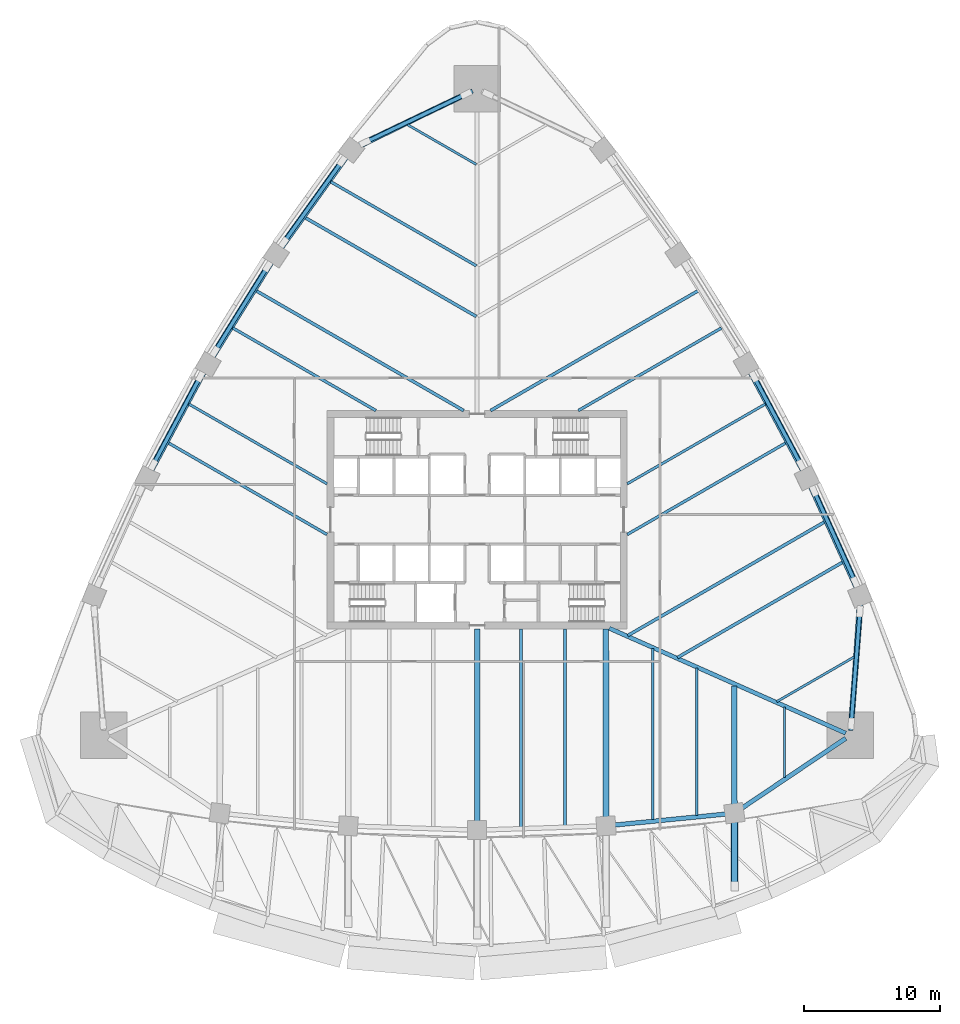
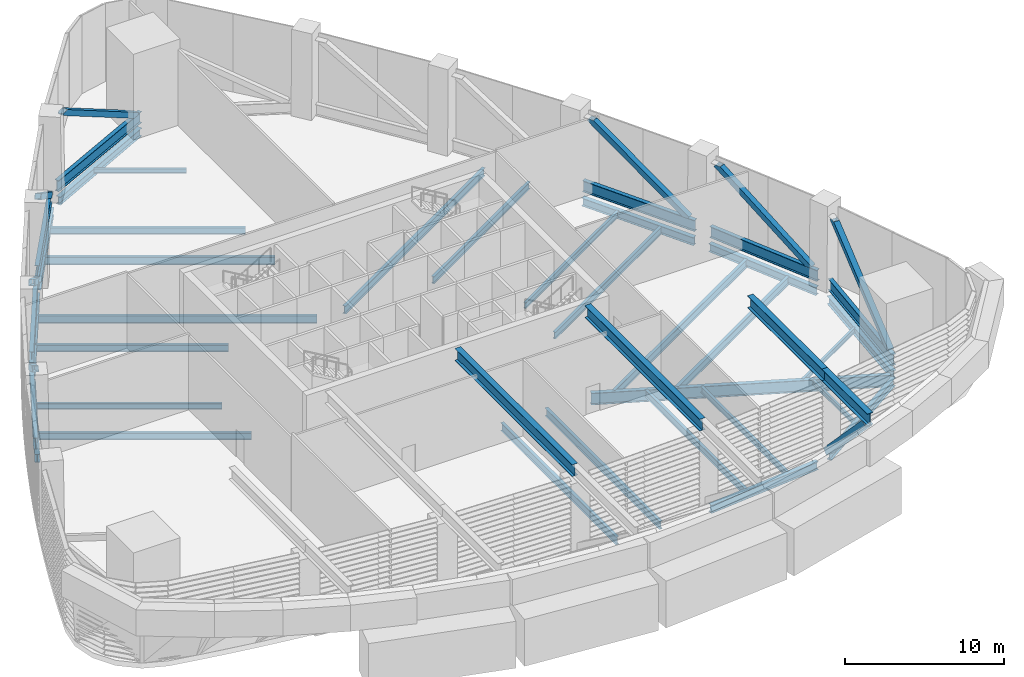
# One storey, part 2 of 15: 40 beams, 8 members.
"""IFC4 building model written with IfcOpenShell, lengths in metres."""

from ifc_helpers import new_model, si_unit, direction, frame, origin, origin_2d, place, context, subcontext, project, spatial, hollow_rectangle, i_section, extrude, clip, halfspace, material, material_profile, profile_set, type_object, element, save


model = new_model("IFC4")

# Units and contexts
model_context = context("Model", 3, precision=1e-05, world=origin(), true_north=direction((0.0, 1.0)))
body_context = subcontext(model_context, "Body", "Model", "MODEL_VIEW")
ifc_project = project(units=[si_unit("LENGTHUNIT", "METRE"), si_unit("AREAUNIT", "SQUARE_METRE"), si_unit("VOLUMEUNIT", "CUBIC_METRE"), si_unit("PLANEANGLEUNIT", "RADIAN"), si_unit("MASSUNIT", "GRAM", prefix="KILO")], contexts=[model_context])

# Site, building, storey
site_placement = place(None, origin())
site = spatial("IfcSite", under=ifc_project, at=site_placement, CompositionType="ELEMENT")
building_placement = place(site_placement, origin())
building = spatial("IfcBuilding", under=site, at=building_placement, Name="Sierra Prisma Convention Tower", CompositionType="ELEMENT")
storey_placement = place(building_placement, frame((0.0, 0.0, 34.199951171875)))
storey = spatial("IfcBuildingStorey", under=building, at=storey_placement, Name="L05", CompositionType="ELEMENT", Elevation=34.199951171875)

# Beams
ifc_material_1 = material(Name="Steel ASTM A992 Gr 50", Category="steel")
ifc_material_profile_1 = material_profile(ifc_material_1, i_section(OverallWidth=0.172119140625, OverallDepth=0.35791015625, WebThickness=0.0078125, FlangeThickness=0.01318359375, at=origin_2d()), Name="W360x57")
ifc_profile_set_1 = profile_set([ifc_material_profile_1], Name="Steel ASTM A992 Gr 50")
beam_type_1 = type_object("IfcBeamType", Name="Floor joist W360x57", PredefinedType="JOIST", material=ifc_profile_set_1)
beam_1_placement = place(storey_placement, frame((22.52783203125, -18.89501953125, -0.578857421875), z_axis=(0.0, 1.0, 0.0), x_axis=(-1.0, 0.0, 0.0)))
element("IfcBeam", 1, at=beam_1_placement, inside=storey, type_object=beam_type_1, Name="Floor joist L05 S16", PredefinedType="JOIST", context=body_context, shape_type="SweptSolid", body=[
    extrude(i_section(OverallWidth=0.172119140625, OverallDepth=0.35791015625, WebThickness=0.0078125, FlangeThickness=0.01318359375, at=origin_2d()), origin(), (0.0, 0.0, 1.0), 5.177978515625),
])
beam_2_placement = place(storey_placement, frame((27.62744140625, -10.06201171875, -0.578857421875), z_axis=(-0.866022747659, -0.500004600516, 0.0), x_axis=(0.500004600516, -0.866022747659, 0.0)))
element("IfcBeam", 2, at=beam_2_placement, inside=storey, type_object=beam_type_1, Name="Floor joist L05 NE02", PredefinedType="JOIST", context=body_context, shape_type="SweptSolid", body=[
    extrude(i_section(OverallWidth=0.172119140625, OverallDepth=0.35791015625, WebThickness=0.0078125, FlangeThickness=0.01318359375, at=origin_2d()), origin(), (0.0, 0.0, 1.0), 6.54150390625),
])
beam_3_placement = place(storey_placement, frame((-5.099609375, 28.95703125, -0.578857421875), z_axis=(0.866024171998, -0.500002133511, 0.0), x_axis=(0.500002133511, 0.866024171998, 0.0)))
element("IfcBeam", 3, at=beam_3_placement, inside=storey, type_object=beam_type_1, Name="Floor joist L05 NW02", PredefinedType="JOIST", context=body_context, shape_type="SweptSolid", body=[
    extrude(i_section(OverallWidth=0.172119140625, OverallDepth=0.35791015625, WebThickness=0.0078125, FlangeThickness=0.01318359375, at=origin_2d()), origin(), (0.0, 0.0, 1.0), 5.818359375),
])
ifc_material_2 = material(Name="Steel ASTM A992 Gr 50", Category="steel")
ifc_material_profile_2 = material_profile(ifc_material_2, i_section(OverallWidth=0.18994140625, OverallDepth=0.45703125, WebThickness=0.009033203125, FlangeThickness=0.014404296875, at=origin_2d()), Name="W460x74")
ifc_profile_set_2 = profile_set([ifc_material_profile_2], Name="Steel ASTM A992 Gr 50")
beam_type_2 = type_object("IfcBeamType", Name="Floor joist W460x74", PredefinedType="JOIST", material=ifc_profile_set_2)
beam_4_placement = place(storey_placement, frame((16.09130859375, -21.6689453125, -0.62841796875), z_axis=(0.0, 1.0, 0.0), x_axis=(-1.0, 0.0, 0.0)))
element("IfcBeam", 4, at=beam_4_placement, inside=storey, type_object=beam_type_2, Name="Floor joist L05 S14", PredefinedType="JOIST", context=body_context, shape_type="SweptSolid", body=[
    extrude(i_section(OverallWidth=0.18994140625, OverallDepth=0.45703125, WebThickness=0.009033203125, FlangeThickness=0.014404296875, at=origin_2d()), origin(), (0.0, 0.0, 1.0), 10.8095703125),
])
for number, where, z_axis, x_axis, name in (
    (5, (21.1220703125, 8.478759765625, -0.62841796875), (-0.866024880635, -0.500000906121, 0.0), (0.500000906121, -0.866024880635, 0.0), "Floor joist L05 NE08"),
    (6, (-21.1220703125, 8.478759765625, -0.62841796875), (0.866024880635, -0.500000906121, 0.0), (0.500000906121, 0.866024880635, 0.0), "Floor joist L05 NW10"),
):
    element("IfcBeam", number, at=place(storey_placement, frame(where, z_axis=z_axis, x_axis=x_axis)), inside=storey, type_object=beam_type_2, Name=name, PredefinedType="JOIST", context=body_context, shape_type="SweptSolid", body=[
        extrude(i_section(OverallWidth=0.18994140625, OverallDepth=0.45703125, WebThickness=0.009033203125, FlangeThickness=0.014404296875, at=origin_2d()), origin(), (0.0, 0.0, 1.0), 11.68798828125),
    ])
ifc_material_3 = material(Name="Steel ASTM A992 Gr 50", Category="steel")
ifc_material_profile_3 = material_profile(ifc_material_3, i_section(OverallWidth=0.208984375, OverallDepth=0.532958984375, WebThickness=0.01025390625, FlangeThickness=0.015625, at=origin_2d()), Name="W530x92")
ifc_profile_set_3 = profile_set([ifc_material_profile_3], Name="Steel ASTM A992 Gr 50")
beam_type_3 = type_object("IfcBeamType", Name="Floor joist W530x92", PredefinedType="JOIST", material=ifc_profile_set_3)
beam_5_placement = place(storey_placement, frame((12.873046875, -21.9873046875, -0.66650390625), z_axis=(0.0, 1.0, 0.0), x_axis=(-1.0, 0.0, 0.0)))
element("IfcBeam", 7, at=beam_5_placement, inside=storey, type_object=beam_type_3, Name="Floor joist L05 S13", PredefinedType="JOIST", context=body_context, shape_type="SweptSolid", body=[
    extrude(i_section(OverallWidth=0.208984375, OverallDepth=0.532958984375, WebThickness=0.01025390625, FlangeThickness=0.015625, at=origin_2d()), origin(), (0.0, 0.0, 1.0), 12.556640625),
])
beam_6_placement = place(storey_placement, frame((22.639404296875, 5.638671875, -0.66650390625), z_axis=(-0.866026773083, -0.499997628298, 0.0), x_axis=(0.499997628298, -0.866026773083, 0.0)))
element("IfcBeam", 8, at=beam_6_placement, inside=storey, type_object=beam_type_3, Name="Floor joist L05 NE07", PredefinedType="JOIST", context=body_context, shape_type="SweptSolid", body=[
    extrude(i_section(OverallWidth=0.208984375, OverallDepth=0.532958984375, WebThickness=0.01025390625, FlangeThickness=0.015625, at=origin_2d()), origin(), (0.0, 0.0, 1.0), 13.43994140625),
])
beam_7_placement = place(storey_placement, frame((17.90380859375, 14.052978515625, -0.66650390625), z_axis=(-0.866021694642, -0.500006424369, 0.0), x_axis=(0.500006424369, -0.866021694642, 0.0)))
element("IfcBeam", 9, at=beam_7_placement, inside=storey, type_object=beam_type_3, Name="Floor joist L05 NE10", PredefinedType="JOIST", context=body_context, shape_type="SweptSolid", body=[
    extrude(i_section(OverallWidth=0.208984375, OverallDepth=0.532958984375, WebThickness=0.01025390625, FlangeThickness=0.015625, at=origin_2d()), origin(), (0.0, 0.0, 1.0), 12.105712890625),
])
beam_8_placement = place(storey_placement, frame((-10.72021484375, 24.769775390625, -0.66650390625), z_axis=(0.866031330991, -0.499989733636, 0.0), x_axis=(0.499989733636, 0.866031330991, 0.0)))
element("IfcBeam", 10, at=beam_8_placement, inside=storey, type_object=beam_type_3, Name="Floor joist L05 NW04", PredefinedType="JOIST", context=body_context, shape_type="SweptSolid", body=[
    extrude(i_section(OverallWidth=0.208984375, OverallDepth=0.532958984375, WebThickness=0.01025390625, FlangeThickness=0.015625, at=origin_2d()), origin(), (0.0, 0.0, 1.0), 12.308349609375),
])
beam_9_placement = place(storey_placement, frame((-17.90380859375, 14.052978515625, -0.66650390625), z_axis=(0.866021694642, -0.500006424369, 0.0), x_axis=(0.500006424369, 0.866021694642, 0.0)))
element("IfcBeam", 11, at=beam_9_placement, inside=storey, type_object=beam_type_3, Name="Floor joist L05 NW08", PredefinedType="JOIST", context=body_context, shape_type="SweptSolid", body=[
    extrude(i_section(OverallWidth=0.208984375, OverallDepth=0.532958984375, WebThickness=0.01025390625, FlangeThickness=0.015625, at=origin_2d()), origin(), (0.0, 0.0, 1.0), 12.105712890625),
])
beam_10_placement = place(storey_placement, frame((-22.639404296875, 5.638671875, -0.66650390625), z_axis=(0.866026773083, -0.499997628298, 0.0), x_axis=(0.499997628298, 0.866026773083, 0.0)))
element("IfcBeam", 12, at=beam_10_placement, inside=storey, type_object=beam_type_3, Name="Floor joist L05 NW11", PredefinedType="JOIST", context=body_context, shape_type="SweptSolid", body=[
    extrude(i_section(OverallWidth=0.208984375, OverallDepth=0.532958984375, WebThickness=0.01025390625, FlangeThickness=0.015625, at=origin_2d()), origin(), (0.0, 0.0, 1.0), 13.43994140625),
])
ifc_material_4 = material(Name="Steel ASTM A992 Gr 50", Category="steel")
ifc_material_profile_4 = material_profile(ifc_material_4, i_section(OverallWidth=0.22802734375, OverallDepth=0.60302734375, WebThickness=0.010498046875, FlangeThickness=0.014892578125, at=origin_2d()), Name="W610x101")
ifc_profile_set_4 = profile_set([ifc_material_profile_4], Name="Steel ASTM A992 Gr 50")
beam_type_4 = type_object("IfcBeamType", Name="Floor joist W610x101", PredefinedType="JOIST", material=ifc_profile_set_4)
beam_11_placement = place(storey_placement, frame((3.21826171875, -22.531494140625, -0.701416015625), z_axis=(0.0, 1.0, 0.0), x_axis=(-1.0, 0.0, 0.0)))
element("IfcBeam", 13, at=beam_11_placement, inside=storey, type_object=beam_type_4, Name="Floor joist L05 S10", PredefinedType="JOIST", context=body_context, shape_type="SweptSolid", body=[
    extrude(i_section(OverallWidth=0.22802734375, OverallDepth=0.60302734375, WebThickness=0.010498046875, FlangeThickness=0.014892578125, at=origin_2d()), origin(), (0.0, 0.0, 1.0), 14.531494140625),
])
beam_12_placement = place(storey_placement, frame((6.4365234375, -22.42578125, -0.701416015625), z_axis=(0.0, 1.0, 0.0), x_axis=(-1.0, 0.0, 0.0)))
element("IfcBeam", 14, at=beam_12_placement, inside=storey, type_object=beam_type_4, Name="Floor joist L05 S11", PredefinedType="JOIST", context=body_context, shape_type="SweptSolid", body=[
    extrude(i_section(OverallWidth=0.22802734375, OverallDepth=0.60302734375, WebThickness=0.010498046875, FlangeThickness=0.014892578125, at=origin_2d()), origin(), (0.0, 0.0, 1.0), 14.42578125),
])
beam_13_placement = place(storey_placement, frame((26.8115234375, -3.10107421875, -0.701416015625), z_axis=(-0.866032862007, -0.499987081758, 0.0), x_axis=(0.499987081758, -0.866032862007, 0.0)))
element("IfcBeam", 15, at=beam_13_placement, inside=storey, type_object=beam_type_4, Name="Floor joist L05 NE04", PredefinedType="JOIST", context=body_context, shape_type="SweptSolid", body=[
    extrude(i_section(OverallWidth=0.22802734375, OverallDepth=0.60302734375, WebThickness=0.010498046875, FlangeThickness=0.014892578125, at=origin_2d()), origin(), (0.0, 0.0, 1.0), 14.002197265625),
])
beam_14_placement = place(storey_placement, frame((25.47802734375, -0.15478515625, -0.701416015625), z_axis=(-0.866027491634, -0.499996383721, 0.0), x_axis=(0.499996383721, -0.866027491634, 0.0)))
element("IfcBeam", 16, at=beam_14_placement, inside=storey, type_object=beam_type_4, Name="Floor joist L05 NE05", PredefinedType="JOIST", context=body_context, shape_type="SweptSolid", body=[
    extrude(i_section(OverallWidth=0.22802734375, OverallDepth=0.60302734375, WebThickness=0.010498046875, FlangeThickness=0.014892578125, at=origin_2d()), origin(), (0.0, 0.0, 1.0), 16.6640625),
])
beam_15_placement = place(storey_placement, frame((16.203125, 16.787109375, -0.701416015625), z_axis=(-0.866025498715, -0.499999835575, 0.0), x_axis=(0.499999835575, -0.866025498715, 0.0)))
element("IfcBeam", 17, at=beam_15_placement, inside=storey, type_object=beam_type_4, Name="Floor joist L05 NE11", PredefinedType="JOIST", context=body_context, shape_type="SweptSolid", body=[
    extrude(i_section(OverallWidth=0.22802734375, OverallDepth=0.60302734375, WebThickness=0.010498046875, FlangeThickness=0.014892578125, at=origin_2d()), origin(), (0.0, 0.0, 1.0), 17.57421875),
])
beam_16_placement = place(storey_placement, frame((-12.60498046875, 22.14208984375, -0.701416015625), z_axis=(0.866024193569, -0.500002096149, 0.0), x_axis=(0.500002096149, 0.866024193569, 0.0)))
element("IfcBeam", 18, at=beam_16_placement, inside=storey, type_object=beam_type_4, Name="Floor joist L05 NW05", PredefinedType="JOIST", context=body_context, shape_type="SweptSolid", body=[
    extrude(i_section(OverallWidth=0.22802734375, OverallDepth=0.60302734375, WebThickness=0.010498046875, FlangeThickness=0.014892578125, at=origin_2d()), origin(), (0.0, 0.0, 1.0), 14.48486328125),
])
beam_17_placement = place(storey_placement, frame((-16.203125, 16.787109375, -0.701416015625), z_axis=(0.866025498715, -0.499999835575, 0.0), x_axis=(0.499999835575, 0.866025498715, 0.0)))
element("IfcBeam", 19, at=beam_17_placement, inside=storey, type_object=beam_type_4, Name="Floor joist L05 NW07", PredefinedType="JOIST", context=body_context, shape_type="SweptSolid", body=[
    extrude(i_section(OverallWidth=0.22802734375, OverallDepth=0.60302734375, WebThickness=0.010498046875, FlangeThickness=0.014892578125, at=origin_2d()), origin(), (0.0, 0.0, 1.0), 17.57421875),
])
ifc_material_5 = material(Name="Steel ASTM A992 Gr 50", Category="steel")
ifc_material_profile_5 = material_profile(ifc_material_5, i_section(OverallWidth=0.303955078125, OverallDepth=0.903076171875, WebThickness=0.01513671875, FlangeThickness=0.02001953125, at=origin_2d()), Name="W920x201")
ifc_profile_set_5 = profile_set([ifc_material_profile_5], Name="Steel ASTM A992 Gr 50")
beam_type_5 = type_object("IfcBeamType", Name="Radial girder W920x201", PredefinedType="BEAM", material=ifc_profile_set_5)
beam_18_placement = place(storey_placement, frame((27.01513671875, -15.642578125, -0.8515625), z_axis=(-0.91398196052, 0.405754822331, 0.0), x_axis=(-0.405754822331, -0.91398196052, 0.0)))
element("IfcBeam", 20, at=beam_18_placement, inside=storey, type_object=beam_type_5, Name="Radial girder L05 SE", PredefinedType="BEAM", context=body_context, shape_type="SweptSolid", body=[
    extrude(i_section(OverallWidth=0.303955078125, OverallDepth=0.903076171875, WebThickness=0.01513671875, FlangeThickness=0.02001953125, at=origin_2d()), origin(), (0.0, 0.0, 1.0), 18.955078125),
])
ifc_material_6 = material(Name="Steel ASTM A992 Gr 50", Category="steel")
ifc_material_profile_6 = material_profile(ifc_material_6, i_section(OverallWidth=0.324951171875, OverallDepth=0.615966796875, WebThickness=0.013916015625, FlangeThickness=0.021484375, at=origin_2d()), Name="W610x174")
ifc_profile_set_6 = profile_set([ifc_material_profile_6], Name="Steel ASTM A992 Gr 50")
beam_type_6 = type_object("IfcBeamType", Name="Spandrel beam W610x174", PredefinedType="BEAM", material=ifc_profile_set_6)
beam_19_placement = place(storey_placement, frame((10.028076171875, -22.382080078125, -0.7080078125), z_axis=(0.99514126278, 0.098457438079, 0.0), x_axis=(-0.098457438079, 0.99514126278, 0.0)))
element("IfcBeam", 21, at=beam_19_placement, inside=storey, type_object=beam_type_6, Name="Spandrel L05-05", PredefinedType="BEAM", context=body_context, shape_type="SweptSolid", body=[
    extrude(i_section(OverallWidth=0.324951171875, OverallDepth=0.615966796875, WebThickness=0.013916015625, FlangeThickness=0.021484375, at=origin_2d()), origin(), (0.0, 0.0, 1.0), 8.29443359375),
])
beam_20_placement = place(storey_placement, frame((19.40869140625, -21.138916015625, -0.7080078125), z_axis=(0.829740498665, 0.558149357139, 0.0), x_axis=(-0.558149357139, 0.829740498665, 0.0)))
element("IfcBeam", 22, at=beam_20_placement, inside=storey, type_object=beam_type_6, Name="Spandrel L05-06", PredefinedType="BEAM", context=body_context, shape_type="SweptSolid", body=[
    extrude(i_section(OverallWidth=0.324951171875, OverallDepth=0.615966796875, WebThickness=0.013916015625, FlangeThickness=0.021484375, at=origin_2d()), origin(), (0.0, 0.0, 1.0), 9.167236328125),
])
beam_21_placement = place(storey_placement, frame((27.37841796875, -15.453369140625, -0.7080078125), z_axis=(0.06851541914, 0.997650057555, 0.0), x_axis=(-0.997650057555, 0.06851541914, 0.0)))
element("IfcBeam", 23, at=beam_21_placement, inside=storey, type_object=beam_type_6, Name="Spandrel L05-07", PredefinedType="BEAM", context=body_context, shape_type="SweptSolid", body=[
    extrude(i_section(OverallWidth=0.324951171875, OverallDepth=0.615966796875, WebThickness=0.013916015625, FlangeThickness=0.021484375, at=origin_2d()), origin(), (0.0, 0.0, 1.0), 9.236083984375),
])
beam_22_placement = place(storey_placement, frame((27.8173828125, -5.05029296875, -0.7080078125), z_axis=(-0.41230108384, 0.911047647637, 0.0), x_axis=(-0.911047647637, -0.41230108384, 0.0)))
element("IfcBeam", 24, at=beam_22_placement, inside=storey, type_object=beam_type_6, Name="Spandrel L05-08", PredefinedType="BEAM", context=body_context, shape_type="SweptSolid", body=[
    extrude(i_section(OverallWidth=0.324951171875, OverallDepth=0.615966796875, WebThickness=0.013916015625, FlangeThickness=0.021484375, at=origin_2d()), origin(), (0.0, 0.0, 1.0), 8.294677734375),
])
beam_23_placement = place(storey_placement, frame((23.884521484375, 3.54736328125, -0.7080078125), z_axis=(-0.471267929576, 0.881990101165, 0.0), x_axis=(-0.881990101165, -0.471267929576, 0.0)))
element("IfcBeam", 25, at=beam_23_placement, inside=storey, type_object=beam_type_6, Name="Spandrel L05-09", PredefinedType="BEAM", context=body_context, shape_type="SweptSolid", body=[
    extrude(i_section(OverallWidth=0.324951171875, OverallDepth=0.615966796875, WebThickness=0.013916015625, FlangeThickness=0.021484375, at=origin_2d()), origin(), (0.0, 0.0, 1.0), 8.29443359375),
])
beam_24_placement = place(storey_placement, frame((-0.340087890625, 31.420654296875, -0.7080078125), z_axis=(-0.89824258339, -0.439500012952, 0.0), x_axis=(0.439500012952, -0.89824258339, 0.0)))
element("IfcBeam", 26, at=beam_24_placement, inside=storey, type_object=beam_type_6, Name="Spandrel L05-13", PredefinedType="BEAM", context=body_context, shape_type="SweptSolid", body=[
    extrude(i_section(OverallWidth=0.324951171875, OverallDepth=0.615966796875, WebThickness=0.013916015625, FlangeThickness=0.021484375, at=origin_2d()), origin(), (0.0, 0.0, 1.0), 9.198486328125),
])
beam_25_placement = place(storey_placement, frame((-9.534912109375, 26.61572265625, -0.7080078125), z_axis=(-0.582854647492, -0.812576433265, 0.0), x_axis=(0.812576433265, -0.582854647492, 0.0)))
element("IfcBeam", 27, at=beam_25_placement, inside=storey, type_object=beam_type_6, Name="Spandrel L05-14", PredefinedType="BEAM", context=body_context, shape_type="SweptSolid", body=[
    extrude(i_section(OverallWidth=0.324951171875, OverallDepth=0.615966796875, WebThickness=0.013916015625, FlangeThickness=0.021484375, at=origin_2d()), origin(), (0.0, 0.0, 1.0), 8.294921875),
])
beam_26_placement = place(storey_placement, frame((-15.014404296875, 18.9111328125, -0.7080078125), z_axis=(-0.528185415417, -0.849129063771, 0.0), x_axis=(0.849129063771, -0.528185415417, 0.0)))
element("IfcBeam", 28, at=beam_26_placement, inside=storey, type_object=beam_type_6, Name="Spandrel L05-15", PredefinedType="BEAM", context=body_context, shape_type="SweptSolid", body=[
    extrude(i_section(OverallWidth=0.324951171875, OverallDepth=0.615966796875, WebThickness=0.013916015625, FlangeThickness=0.021484375, at=origin_2d()), origin(), (0.0, 0.0, 1.0), 8.294677734375),
])
beam_27_placement = place(storey_placement, frame((-19.9755859375, 10.863037109375, -0.7080078125), z_axis=(-0.471267929576, -0.881990101165, 0.0), x_axis=(0.881990101165, -0.471267929576, 0.0)))
element("IfcBeam", 29, at=beam_27_placement, inside=storey, type_object=beam_type_6, Name="Spandrel L05-16", PredefinedType="BEAM", context=body_context, shape_type="SweptSolid", body=[
    extrude(i_section(OverallWidth=0.324951171875, OverallDepth=0.615966796875, WebThickness=0.013916015625, FlangeThickness=0.021484375, at=origin_2d()), origin(), (0.0, 0.0, 1.0), 8.29443359375),
])
ifc_material_7 = material(Name="Steel ASTM A992 Gr 50", Category="steel")
ifc_material_profile_7 = material_profile(ifc_material_7, i_section(OverallWidth=0.2919921875, OverallDepth=0.85888671875, WebThickness=0.017578125, FlangeThickness=0.031005859375, at=origin_2d()), Name="W840x251")
ifc_profile_set_7 = profile_set([ifc_material_profile_7], Name="Steel ASTM A992 Gr 50")
beam_type_7 = type_object("IfcBeamType", Name="Truss chord W840x251", PredefinedType="BEAM", material=ifc_profile_set_7)
beam_28_placement = place(storey_placement, frame((27.38134765625, -15.45361328125, 0.429443359375), z_axis=(0.077207615045, 0.997015037088, 0.0), x_axis=(-0.997015037088, 0.077207615045, 0.0)))
element("IfcBeam", 30, at=beam_28_placement, inside=storey, type_object=beam_type_7, Name="Belt truss L05-07 bottom chord 1", PredefinedType="BEAM", context=body_context, shape_type="SweptSolid", body=[
    extrude(i_section(OverallWidth=0.2919921875, OverallDepth=0.85888671875, WebThickness=0.017578125, FlangeThickness=0.031005859375, at=origin_2d()), origin(), (0.0, 0.0, 1.0), 9.277587890625),
])
for number, where, z_axis, x_axis, name in (
    (31, (27.90966796875, -5.011962890625, 0.429443359375), (-0.412304467904, 0.911046116147, 0.0), (-0.911046116147, -0.412304467904, 0.0), "Belt truss L05-08 bottom chord 1"),
    (32, (23.974365234375, 3.591552734375, 0.429443359375), (-0.471271961659, 0.881987946717, 0.0), (-0.881987946717, -0.471271961659, 0.0), "Belt truss L05-09 bottom chord 1"),
):
    element("IfcBeam", number, at=place(storey_placement, frame(where, z_axis=z_axis, x_axis=x_axis)), inside=storey, type_object=beam_type_7, Name=name, PredefinedType="BEAM", context=body_context, shape_type="SweptSolid", body=[
        extrude(i_section(OverallWidth=0.2919921875, OverallDepth=0.85888671875, WebThickness=0.017578125, FlangeThickness=0.031005859375, at=origin_2d()), origin(), (0.0, 0.0, 1.0), 8.30126953125),
    ])
beam_29_placement = place(storey_placement, frame((-0.340087890625, 31.42431640625, 0.429443359375), z_axis=(-0.902043892828, -0.431644315857, 0.0), x_axis=(0.431644315857, -0.902043892828, 0.0)))
element("IfcBeam", 33, at=beam_29_placement, inside=storey, type_object=beam_type_7, Name="Belt truss L05-13 bottom chord 1", PredefinedType="BEAM", context=body_context, shape_type="SweptSolid", body=[
    extrude(i_section(OverallWidth=0.2919921875, OverallDepth=0.85888671875, WebThickness=0.017578125, FlangeThickness=0.031005859375, at=origin_2d()), origin(), (0.0, 0.0, 1.0), 9.241455078125),
])
beam_30_placement = place(storey_placement, frame((-9.6142578125, 26.676513671875, 0.429443359375), z_axis=(-0.582853421491, -0.812577312664, 0.0), x_axis=(0.812577312664, -0.582853421491, 0.0)))
element("IfcBeam", 34, at=beam_30_placement, inside=storey, type_object=beam_type_7, Name="Belt truss L05-14 bottom chord 1", PredefinedType="BEAM", context=body_context, shape_type="SweptSolid", body=[
    extrude(i_section(OverallWidth=0.2919921875, OverallDepth=0.85888671875, WebThickness=0.017578125, FlangeThickness=0.031005859375, at=origin_2d()), origin(), (0.0, 0.0, 1.0), 8.30126953125),
])
beam_31_placement = place(storey_placement, frame((-15.097412109375, 18.966796875, 0.429443359375), z_axis=(-0.528186925878, -0.849128124214, 0.0), x_axis=(0.849128124214, -0.528186925878, 0.0)))
element("IfcBeam", 35, at=beam_31_placement, inside=storey, type_object=beam_type_7, Name="Belt truss L05-15 bottom chord 1", PredefinedType="BEAM", context=body_context, shape_type="SweptSolid", body=[
    extrude(i_section(OverallWidth=0.2919921875, OverallDepth=0.85888671875, WebThickness=0.017578125, FlangeThickness=0.031005859375, at=origin_2d()), origin(), (0.0, 0.0, 1.0), 8.301513671875),
])
beam_32_placement = place(storey_placement, frame((-20.062255859375, 10.9130859375, 0.429443359375), z_axis=(-0.471271961659, -0.881987946717, 0.0), x_axis=(0.881987946717, -0.471271961659, 0.0)))
element("IfcBeam", 36, at=beam_32_placement, inside=storey, type_object=beam_type_7, Name="Belt truss L05-16 bottom chord 1", PredefinedType="BEAM", context=body_context, shape_type="SweptSolid", body=[
    extrude(i_section(OverallWidth=0.2919921875, OverallDepth=0.85888671875, WebThickness=0.017578125, FlangeThickness=0.031005859375, at=origin_2d()), origin(), (0.0, 0.0, 1.0), 8.30126953125),
])
ifc_material_8 = material(Name="Steel ASTM A992 Gr 50", Category="steel")
ifc_material_profile_8 = material_profile(ifc_material_8, i_section(OverallWidth=0.41796875, OverallDepth=0.927001953125, WebThickness=0.019287109375, FlangeThickness=0.031982421875, at=origin_2d()), Name="W920x342")
ifc_profile_set_8 = profile_set([ifc_material_profile_8], Name="Steel ASTM A992 Gr 50")
beam_type_8 = type_object("IfcBeamType", Name="Truss chord W920x342", PredefinedType="BEAM", material=ifc_profile_set_8)
beam_33_placement = place(storey_placement, frame((0.0, -22.75, 5.986572265625), z_axis=(0.0, 1.0, 0.0), x_axis=(-1.0, 0.0, 0.0)))
element("IfcBeam", 37, at=beam_33_placement, inside=storey, type_object=beam_type_8, Name="Cantilever truss S-3 top chord back span", PredefinedType="BEAM", context=body_context, shape_type="SweptSolid", body=[
    extrude(i_section(OverallWidth=0.41796875, OverallDepth=0.927001953125, WebThickness=0.019287109375, FlangeThickness=0.031982421875, at=origin_2d()), origin(), (0.0, 0.0, 1.0), 14.75),
])
beam_34_placement = place(storey_placement, frame((9.450439453125, -22.439208984375, 5.986572265625), z_axis=(-0.00087922459, 0.999999613482, 0.0), x_axis=(-0.999999613482, -0.00087922459, 0.0)))
element("IfcBeam", 38, at=beam_34_placement, inside=storey, type_object=beam_type_8, Name="Cantilever truss S-4 top chord back span", PredefinedType="BEAM", context=body_context, shape_type="SweptSolid", body=[
    extrude(i_section(OverallWidth=0.41796875, OverallDepth=0.927001953125, WebThickness=0.019287109375, FlangeThickness=0.031982421875, at=origin_2d()), origin(), (0.0, 0.0, 1.0), 14.439208984375),
])
beam_35_placement = place(storey_placement, frame((18.873046875, -27.216552734375, 5.986572265625), z_axis=(-0.002309561438, 0.999997332959, 0.0), x_axis=(-0.999997332959, -0.002309561438, 0.0)))
element("IfcBeam", 39, at=beam_35_placement, inside=storey, type_object=beam_type_8, Name="Cantilever truss S-5 top chord tip", PredefinedType="BEAM", context=body_context, shape_type="SweptSolid", body=[
    extrude(i_section(OverallWidth=0.41796875, OverallDepth=0.927001953125, WebThickness=0.019287109375, FlangeThickness=0.031982421875, at=origin_2d()), origin(), (0.0, 0.0, 1.0), 5.708251953125),
])
beam_36_placement = place(storey_placement, frame((18.85986328125, -21.50830078125, 5.986572265625), z_axis=(-0.002308493324, 0.999997335426, 0.0), x_axis=(-0.999997335426, -0.002308493324, 0.0)))
element("IfcBeam", 40, at=beam_36_placement, inside=storey, type_object=beam_type_8, Name="Cantilever truss S-5 top chord back span", PredefinedType="BEAM", context=body_context, shape_type="SweptSolid", body=[
    extrude(i_section(OverallWidth=0.41796875, OverallDepth=0.927001953125, WebThickness=0.019287109375, FlangeThickness=0.031982421875, at=origin_2d()), origin(), (0.0, 0.0, 1.0), 9.306640625),
])

# Members
ifc_material_9 = material(Name="Steel ASTM A500 Gr C", Category="steel")
ifc_material_profile_9 = material_profile(ifc_material_9, hollow_rectangle(XDim=0.406005859375, YDim=0.406005859375, WallThickness=0.01904296875, at=origin_2d()), Name="Truss diagonal HSS 406x406x19")
ifc_profile_set_9 = profile_set([ifc_material_profile_9], Name="Steel ASTM A500 Gr C")
member_type_1 = type_object("IfcMemberType", Name="Truss diagonal HSS 406x406x19", PredefinedType="BRACE", material=ifc_profile_set_9)
member_1_placement = place(storey_placement, frame((27.4208984375, -14.94189453125, 0.859130859375), z_axis=(0.066135220092, 0.853828496634, 0.516336160847), x_axis=(-0.997013617243, 0.077225947917, 0.0)))
element("IfcMember", 41, at=member_1_placement, inside=storey, type_object=member_type_1, Name="Belt truss L05-07 diagonal 1", PredefinedType="BRACE", context=body_context, shape_type="SweptSolid", body=[
    clip(clip(extrude(hollow_rectangle(XDim=0.406005859375, YDim=0.406005859375, WallThickness=0.01904296875, at=origin_2d()), origin(), (0.0, 0.0, 1.0), 9.635009765625), halfspace(frame((-0.000244140625, 0.0126953125, 0.0078125), z_axis=(0.0, 0.856385992997, 0.516336160847), x_axis=(1.0, 0.0, 0.0)), True)), halfspace(frame((0.0, -0.0126953125, 9.627197265625), z_axis=(0.0, -0.856385992997, -0.516336160847), x_axis=(1.0, 0.0, 0.0)), True)),
])
member_2_placement = place(storey_placement, frame((27.711181640625, -4.5732421875, 0.859130859375), z_axis=(-0.341257978256, 0.754088703887, 0.56115347183), x_axis=(-0.911052285886, -0.412290834704, 0.0)))
element("IfcMember", 42, at=member_2_placement, inside=storey, type_object=member_type_1, Name="Belt truss L05-08 diagonal 1", PredefinedType="BRACE", context=body_context, shape_type="SweptSolid", body=[
    clip(clip(extrude(hollow_rectangle(XDim=0.406005859375, YDim=0.406005859375, WallThickness=0.01904296875, at=origin_2d()), origin(), (0.0, 0.0, 1.0), 8.865478515625), halfspace(frame((0.0, 0.01220703125, 0.00830078125), z_axis=(0.0, 0.827711774142, 0.56115347183), x_axis=(1.0, 0.0, 0.0)), True)), halfspace(frame((0.0, -0.01220703125, 8.85693359375), z_axis=(0.0, -0.827711774142, -0.56115347183), x_axis=(1.0, 0.0, 0.0)), True)),
])
member_3_placement = place(storey_placement, frame((23.747314453125, 4.016357421875, 0.859130859375), z_axis=(-0.390062890543, 0.730032276575, 0.561162914473), x_axis=(-0.881995334283, -0.471258135531, 0.0)))
element("IfcMember", 43, at=member_3_placement, inside=storey, type_object=member_type_1, Name="Belt truss L05-09 diagonal 1", PredefinedType="BRACE", context=body_context, shape_type="SweptSolid", body=[
    clip(clip(extrude(hollow_rectangle(XDim=0.406005859375, YDim=0.406005859375, WallThickness=0.01904296875, at=origin_2d()), origin(), (0.0, 0.0, 1.0), 8.865234375), halfspace(frame((0.0, 0.01220703125, 0.00830078125), z_axis=(0.0, 0.827705372352, 0.561162914473), x_axis=(1.0, 0.0, 0.0)), True)), halfspace(frame((0.0, -0.01220703125, 8.85693359375), z_axis=(0.0, -0.827705372352, -0.561162914473), x_axis=(1.0, 0.0, 0.0)), True)),
])
member_4_placement = place(storey_placement, frame((-0.8017578125, 31.203369140625, 0.859130859375), z_axis=(-0.771652471457, -0.369255607595, 0.51788295932), x_axis=(0.431649970526, -0.902041186945, 0.0)))
element("IfcMember", 44, at=member_4_placement, inside=storey, type_object=member_type_1, Name="Belt truss L05-13 diagonal 1", PredefinedType="BRACE", context=body_context, shape_type="SweptSolid", body=[
    clip(clip(extrude(hollow_rectangle(XDim=0.406005859375, YDim=0.406005859375, WallThickness=0.01904296875, at=origin_2d()), origin(), (0.0, 0.0, 1.0), 9.606201171875), halfspace(frame((0.0, 0.0126953125, 0.0078125), z_axis=(0.0, 0.855451483397, 0.51788295932), x_axis=(1.0, 0.0, 0.0)), True)), halfspace(frame((0.0, -0.0126953125, 9.598388671875), z_axis=(0.0, -0.855451483397, -0.51788295932), x_axis=(1.0, 0.0, 0.0)), True)),
])
member_5_placement = place(storey_placement, frame((-9.89501953125, 26.28515625, 0.859130859375), z_axis=(-0.482425653268, -0.672581443644, 0.561159238305), x_axis=(0.812583125446, -0.582845317593, 0.0)))
element("IfcMember", 45, at=member_5_placement, inside=storey, type_object=member_type_1, Name="Belt truss L05-14 diagonal 1", PredefinedType="BRACE", context=body_context, shape_type="SweptSolid", body=[
    clip(clip(extrude(hollow_rectangle(XDim=0.406005859375, YDim=0.406005859375, WallThickness=0.01904296875, at=origin_2d()), origin(), (0.0, 0.0, 1.0), 8.865234375), halfspace(frame((0.0, 0.01220703125, 0.00830078125), z_axis=(0.0, 0.827705372352, 0.561162914473), x_axis=(1.0, 0.0, 0.0)), True)), halfspace(frame((0.0, -0.01220703125, 8.85693359375), z_axis=(0.0, -0.827707864687, -0.561159238305), x_axis=(1.0, 0.0, 0.0)), True)),
])
member_6_placement = place(storey_placement, frame((-15.351806640625, 18.5576171875, 0.859130859375), z_axis=(-0.437205931734, -0.702817623064, 0.561158054355), x_axis=(0.849112315449, -0.528212339645, 0.0)))
element("IfcMember", 46, at=member_6_placement, inside=storey, type_object=member_type_1, Name="Belt truss L05-15 diagonal 1", PredefinedType="BRACE", context=body_context, shape_type="SweptSolid", body=[
    clip(clip(extrude(hollow_rectangle(XDim=0.406005859375, YDim=0.406005859375, WallThickness=0.01904296875, at=origin_2d()), origin(), (0.0, 0.0, 1.0), 8.865234375), halfspace(frame((0.0, 0.01220703125, 0.00830078125), z_axis=(0.0, 0.827705372352, 0.561162914473), x_axis=(1.0, 0.0, 0.0)), True)), halfspace(frame((0.0, -0.01220703125, 8.85693359375), z_axis=(0.0, -0.827708667366, -0.561158054355), x_axis=(1.0, 0.0, 0.0)), True)),
])
member_7_placement = place(storey_placement, frame((-20.289306640625, 10.48828125, 0.859130859375), z_axis=(-0.390062890543, -0.730032276575, 0.561162914473), x_axis=(0.881995334283, -0.471258135531, 0.0)))
element("IfcMember", 47, at=member_7_placement, inside=storey, type_object=member_type_1, Name="Belt truss L05-16 diagonal 1", PredefinedType="BRACE", context=body_context, shape_type="SweptSolid", body=[
    clip(clip(extrude(hollow_rectangle(XDim=0.406005859375, YDim=0.406005859375, WallThickness=0.01904296875, at=origin_2d()), origin(), (0.0, 0.0, 1.0), 8.865234375), halfspace(frame((0.0, 0.01220703125, 0.00830078125), z_axis=(0.0, 0.827705372352, 0.561162914473), x_axis=(1.0, 0.0, 0.0)), True)), halfspace(frame((0.0, -0.01220703125, 8.85693359375), z_axis=(0.0, -0.827705372352, -0.561162914473), x_axis=(1.0, 0.0, 0.0)), True)),
])
ifc_material_10 = material(Name="Steel ASTM A572 Gr 50", Category="steel")
ifc_material_profile_10 = material_profile(ifc_material_10, hollow_rectangle(XDim=0.508056640625, YDim=0.508056640625, WallThickness=0.025390625, at=origin_2d()), Name="Truss diagonal HSS 508x508x25")
ifc_profile_set_10 = profile_set([ifc_material_profile_10], Name="Steel ASTM A572 Gr 50")
member_type_2 = type_object("IfcMemberType", Name="Truss diagonal HSS 508x508x25", PredefinedType="BRACE", material=ifc_profile_set_10)
member_8_placement = place(storey_placement, frame((18.86083984375, -21.964111328125, 0.404052734375), z_axis=(0.001618935285, -0.691664266555, 0.722217364385), x_axis=(0.999997260719, 0.002340631039, 0.0)))
element("IfcMember", 48, at=member_8_placement, inside=storey, type_object=member_type_2, Name="Cantilever truss S-5 lower member", PredefinedType="BRACE", context=body_context, shape_type="SweptSolid", body=[
    clip(extrude(hollow_rectangle(XDim=0.508056640625, YDim=0.508056640625, WallThickness=0.025390625, at=origin_2d()), origin(), (0.0, 0.0, 1.0), 7.087646484375), halfspace(frame((0.0, 0.0, 7.087646484375), z_axis=(0.0, -0.691666161223, -0.722217364385), x_axis=(1.0, 0.0, 0.0)), True)),
])

save(model, "model.ifc")
